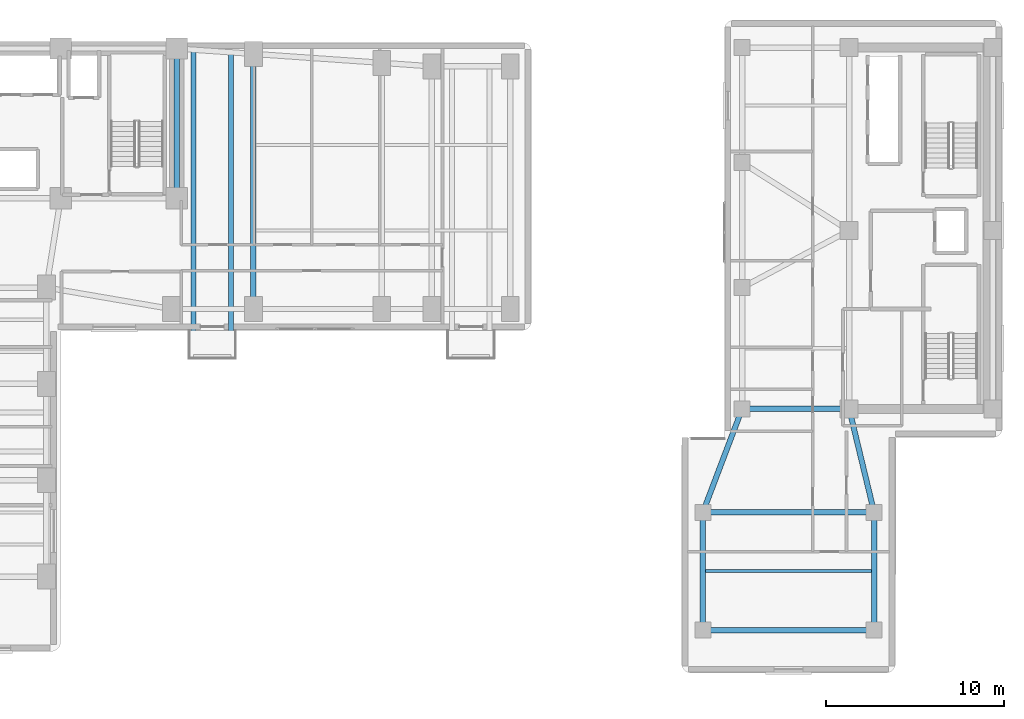
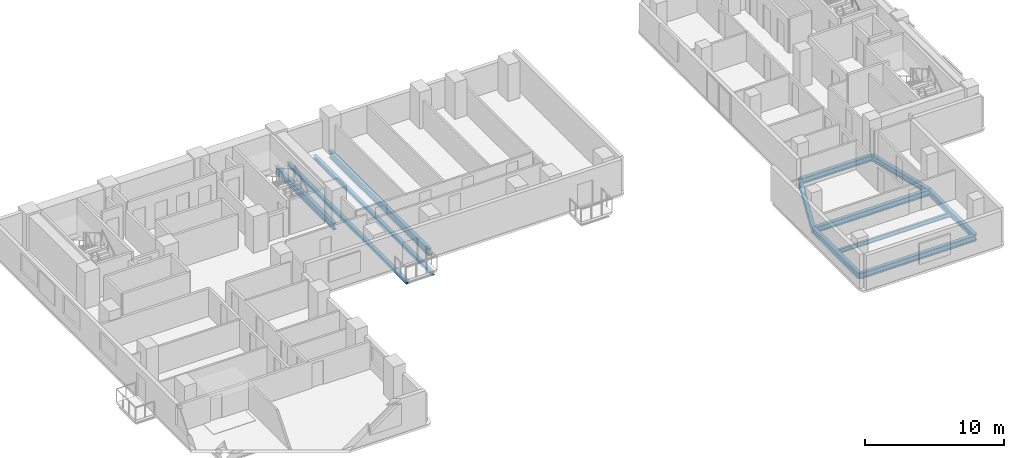
# One storey, part 5 of 17: 12 beams.
"""IFC4 building model written with IfcOpenShell, lengths in metres."""

from ifc_helpers import new_model, si_unit, direction, frame, origin, origin_2d, place, context, subcontext, project, spatial, i_section, extrude, material, material_profile, profile_set, type_object, element, save


model = new_model("IFC4")

# Units and contexts
model_context = context("Model", 3, precision=1e-05, world=origin(), true_north=direction((0.0, 1.0)))
body_context = subcontext(model_context, "Body", "Model", "MODEL_VIEW")
ifc_project = project(units=[si_unit("LENGTHUNIT", "METRE"), si_unit("AREAUNIT", "SQUARE_METRE"), si_unit("VOLUMEUNIT", "CUBIC_METRE"), si_unit("PLANEANGLEUNIT", "RADIAN"), si_unit("MASSUNIT", "GRAM", prefix="KILO")], contexts=[model_context])

# Site, building, storey
site_placement = place(None, origin())
site = spatial("IfcSite", under=ifc_project, at=site_placement, CompositionType="ELEMENT")
building_placement = place(site_placement, origin())
building = spatial("IfcBuilding", under=site, at=building_placement, Name="Kuzgunbayir Cultural Tower", CompositionType="ELEMENT")
storey_placement = place(building_placement, frame((0.0, 0.0, 56.39990234375)))
storey = spatial("IfcBuildingStorey", under=building, at=storey_placement, Name="L15", CompositionType="ELEMENT", Elevation=56.39990234375)

# Beams
ifc_material = material(Name="Steel S355J2", Category="steel")
ifc_material_profile_1 = material_profile(ifc_material, i_section(OverallWidth=0.280029296875, OverallDepth=0.280029296875, WebThickness=0.010498046875, FlangeThickness=0.01806640625, FilletRadius=0.02392578125, at=origin_2d()), Name="HEB 280")
ifc_profile_set_1 = profile_set([ifc_material_profile_1], Name="Steel S355J2")
beam_type_1 = type_object("IfcBeamType", Name="BM-BAL-HEB280", PredefinedType="BEAM", material=ifc_profile_set_1)
beam_1_placement = place(storey_placement, frame((27.85009765625, 24.9599609375, -0.33984375), z_axis=(0.0, 1.0, 0.0), x_axis=(-1.0, 0.0, 0.0)))
element("IfcBeam", 1, at=beam_1_placement, inside=storey, type_object=beam_type_1, Name="L15 Balcony Outrigger Beam BAL-L15-WB1.1", PredefinedType="BEAM", context=body_context, shape_type="SweptSolid", body=[
    extrude(i_section(OverallWidth=0.280029296875, OverallDepth=0.280029296875, WebThickness=0.010498046875, FlangeThickness=0.01806640625, FilletRadius=0.02392578125, at=origin_2d()), origin(), (0.0, 0.0, 1.0), 17.169921875),
])
beam_2_placement = place(storey_placement, frame((29.949951171875, 24.9599609375, -0.33984375), z_axis=(0.0, 1.0, 0.0), x_axis=(-1.0, 0.0, 0.0)))
element("IfcBeam", 2, at=beam_2_placement, inside=storey, type_object=beam_type_1, Name="L15 Balcony Outrigger Beam BAL-L15-WB1.2", PredefinedType="BEAM", context=body_context, shape_type="SweptSolid", body=[
    extrude(i_section(OverallWidth=0.280029296875, OverallDepth=0.280029296875, WebThickness=0.010498046875, FlangeThickness=0.01806640625, FilletRadius=0.02392578125, at=origin_2d()), origin(), (0.0, 0.0, 1.0), 17.030029296875),
])
ifc_material_profile_2 = material_profile(ifc_material, i_section(OverallWidth=0.300048828125, OverallDepth=0.5, WebThickness=0.014404296875, FlangeThickness=0.028076171875, FilletRadius=0.027099609375, at=origin_2d()), Name="HEB 500")
ifc_profile_set_2 = profile_set([ifc_material_profile_2], Name="Steel S355J2")
beam_type_2 = type_object("IfcBeamType", Name="BM-EXT-HEB500", PredefinedType="BEAM", material=ifc_profile_set_2)
beam_3_placement = place(storey_placement, frame((56.39990234375, 9.60009765625, -0.429931640625), z_axis=(0.0, 1.0, 0.0), x_axis=(-1.0, 0.0, 0.0)))
element("IfcBeam", 3, at=beam_3_placement, inside=storey, type_object=beam_type_2, Name="L15 Companion Wing B West Girder", PredefinedType="BEAM", context=body_context, shape_type="SweptSolid", body=[
    extrude(i_section(OverallWidth=0.300048828125, OverallDepth=0.5, WebThickness=0.014404296875, FlangeThickness=0.028076171875, FilletRadius=0.027099609375, at=origin_2d()), origin(), (0.0, 0.0, 1.0), 6.599853515625),
])
beam_4_placement = place(storey_placement, frame((56.39990234375, 16.199951171875, -0.429931640625), z_axis=(0.354679148754, 0.93498807556, 0.0), x_axis=(-0.93498807556, 0.354679148754, 0.0)))
element("IfcBeam", 4, at=beam_4_placement, inside=storey, type_object=beam_type_2, Name="L15 Companion Wing B Floor Girder W", PredefinedType="BEAM", context=body_context, shape_type="SweptSolid", body=[
    extrude(i_section(OverallWidth=0.300048828125, OverallDepth=0.5, WebThickness=0.014404296875, FlangeThickness=0.028076171875, FilletRadius=0.027099609375, at=origin_2d()), origin(), (0.0, 0.0, 1.0), 6.203369140625),
])
beam_5_placement = place(storey_placement, frame((66.0, 9.60009765625, -0.429931640625), z_axis=(0.0, 1.0, 0.0), x_axis=(-1.0, 0.0, 0.0)))
element("IfcBeam", 5, at=beam_5_placement, inside=storey, type_object=beam_type_2, Name="L15 Companion Wing B East Girder", PredefinedType="BEAM", context=body_context, shape_type="SweptSolid", body=[
    extrude(i_section(OverallWidth=0.300048828125, OverallDepth=0.5, WebThickness=0.014404296875, FlangeThickness=0.028076171875, FilletRadius=0.027099609375, at=origin_2d()), origin(), (0.0, 0.0, 1.0), 6.599853515625),
])
beam_6_placement = place(storey_placement, frame((66.0, 16.199951171875, -0.429931640625), z_axis=(-0.234623200431, 0.972086392158, 0.0), x_axis=(-0.972086392158, -0.234623200431, 0.0)))
element("IfcBeam", 6, at=beam_6_placement, inside=storey, type_object=beam_type_2, Name="L15 Companion Wing B Floor Girder E", PredefinedType="BEAM", context=body_context, shape_type="SweptSolid", body=[
    extrude(i_section(OverallWidth=0.300048828125, OverallDepth=0.5, WebThickness=0.014404296875, FlangeThickness=0.028076171875, FilletRadius=0.027099609375, at=origin_2d()), origin(), (0.0, 0.0, 1.0), 5.966552734375),
])
beam_7_placement = place(storey_placement, frame((56.39990234375, 9.60009765625, -0.429931640625), z_axis=(1.0, 0.0, 0.0), x_axis=(0.0, 1.0, 0.0)))
element("IfcBeam", 7, at=beam_7_placement, inside=storey, type_object=beam_type_2, Name="L15 Companion Wing B South Girder", PredefinedType="BEAM", context=body_context, shape_type="SweptSolid", body=[
    extrude(i_section(OverallWidth=0.300048828125, OverallDepth=0.5, WebThickness=0.014404296875, FlangeThickness=0.028076171875, FilletRadius=0.027099609375, at=origin_2d()), origin(), (0.0, 0.0, 1.0), 9.60009765625),
])
ifc_material_profile_3 = material_profile(ifc_material, i_section(OverallWidth=0.300048828125, OverallDepth=0.5, WebThickness=0.014404296875, FlangeThickness=0.028076171875, FilletRadius=0.027099609375, at=origin_2d()), Name="HEB 500")
ifc_profile_set_3 = profile_set([ifc_material_profile_3], Name="Steel S355J2")
beam_type_3 = type_object("IfcBeamType", Name="BM-GIR-HEB500", PredefinedType="BEAM", material=ifc_profile_set_3)
beam_8_placement = place(storey_placement, frame((58.60009765625, 22.0, -0.429931640625), z_axis=(1.0, 0.0, 0.0), x_axis=(0.0, 1.0, 0.0)))
element("IfcBeam", 8, at=beam_8_placement, inside=storey, type_object=beam_type_3, Name="L15 Companion Transverse Girder 1", PredefinedType="BEAM", context=body_context, shape_type="SweptSolid", body=[
    extrude(i_section(OverallWidth=0.300048828125, OverallDepth=0.5, WebThickness=0.014404296875, FlangeThickness=0.028076171875, FilletRadius=0.027099609375, at=origin_2d()), origin(), (0.0, 0.0, 1.0), 6.0),
])
beam_9_placement = place(storey_placement, frame((56.39990234375, 16.199951171875, -0.429931640625), z_axis=(1.0, 0.0, 0.0), x_axis=(0.0, 1.0, 0.0)))
element("IfcBeam", 9, at=beam_9_placement, inside=storey, type_object=beam_type_3, Name="L15 Companion Wing B Mid Girder", PredefinedType="BEAM", context=body_context, shape_type="SweptSolid", body=[
    extrude(i_section(OverallWidth=0.300048828125, OverallDepth=0.5, WebThickness=0.014404296875, FlangeThickness=0.028076171875, FilletRadius=0.027099609375, at=origin_2d()), origin(), (0.0, 0.0, 1.0), 9.60009765625),
])
ifc_material_profile_4 = material_profile(ifc_material, i_section(OverallWidth=0.300048828125, OverallDepth=0.60009765625, WebThickness=0.015380859375, FlangeThickness=0.030029296875, FilletRadius=0.027099609375, at=origin_2d()), Name="HEB 600")
ifc_profile_set_4 = profile_set([ifc_material_profile_4], Name="Steel S355J2")
beam_type_4 = type_object("IfcBeamType", Name="BM-GIR-HEB600", PredefinedType="BEAM", material=ifc_profile_set_4)
beam_10_placement = place(storey_placement, frame((26.89990234375, 33.800048828125, -0.47998046875), z_axis=(0.0, 1.0, 0.0), x_axis=(-1.0, 0.0, 0.0)))
element("IfcBeam", 10, at=beam_10_placement, inside=storey, type_object=beam_type_4, Name="L15 Core East Edge Girder", PredefinedType="BEAM", context=body_context, shape_type="SweptSolid", body=[
    extrude(i_section(OverallWidth=0.300048828125, OverallDepth=0.60009765625, WebThickness=0.015380859375, FlangeThickness=0.030029296875, FilletRadius=0.027099609375, at=origin_2d()), origin(), (0.0, 0.0, 1.0), 8.39990234375),
])
beam_11_placement = place(storey_placement, frame((31.199951171875, 27.60009765625, -0.47998046875), z_axis=(0.0, 1.0, 0.0), x_axis=(-1.0, 0.0, 0.0)))
element("IfcBeam", 11, at=beam_11_placement, inside=storey, type_object=beam_type_4, Name="L15 Wing B Cross Girder 31", PredefinedType="BEAM", context=body_context, shape_type="SweptSolid", body=[
    extrude(i_section(OverallWidth=0.300048828125, OverallDepth=0.60009765625, WebThickness=0.015380859375, FlangeThickness=0.030029296875, FilletRadius=0.027099609375, at=origin_2d()), origin(), (0.0, 0.0, 1.0), 14.2998046875),
])
ifc_material_profile_5 = material_profile(ifc_material, i_section(OverallWidth=0.169921875, OverallDepth=0.360107421875, WebThickness=0.008056640625, FlangeThickness=0.0126953125, FilletRadius=0.01806640625, at=origin_2d()), Name="IPE 360")
ifc_profile_set_5 = profile_set([ifc_material_profile_5], Name="Steel S355J2")
beam_type_5 = type_object("IfcBeamType", Name="BM-JST-IPE360", PredefinedType="JOIST", material=ifc_profile_set_5)
beam_12_placement = place(storey_placement, frame((56.550048828125, 12.89990234375, -0.35986328125), z_axis=(1.0, 0.0, 0.0), x_axis=(0.0, 1.0, 0.0)))
element("IfcBeam", 12, at=beam_12_placement, inside=storey, type_object=beam_type_5, Name="L15 Companion Wing B Joist", PredefinedType="JOIST", context=body_context, shape_type="SweptSolid", body=[
    extrude(i_section(OverallWidth=0.169921875, OverallDepth=0.360107421875, WebThickness=0.008056640625, FlangeThickness=0.0126953125, FilletRadius=0.01806640625, at=origin_2d()), origin(), (0.0, 0.0, 1.0), 9.300048828125),
])

save(model, "model.ifc")
